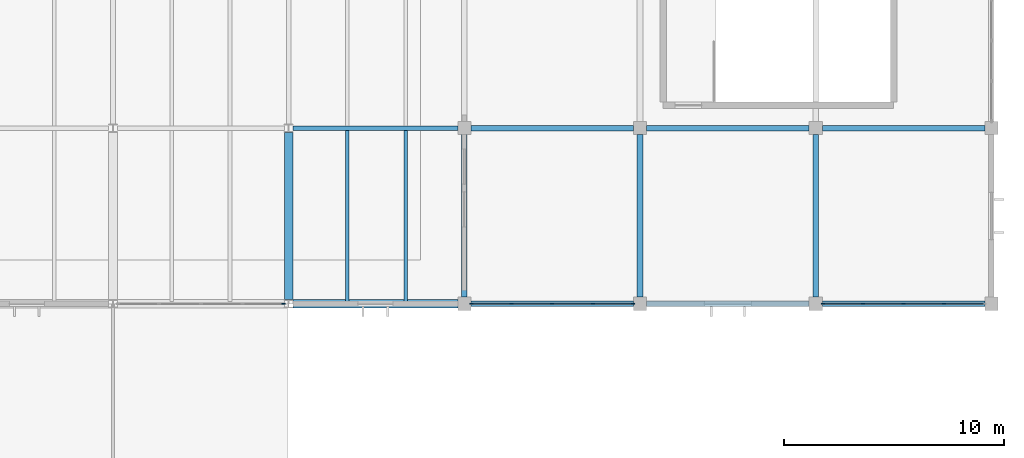
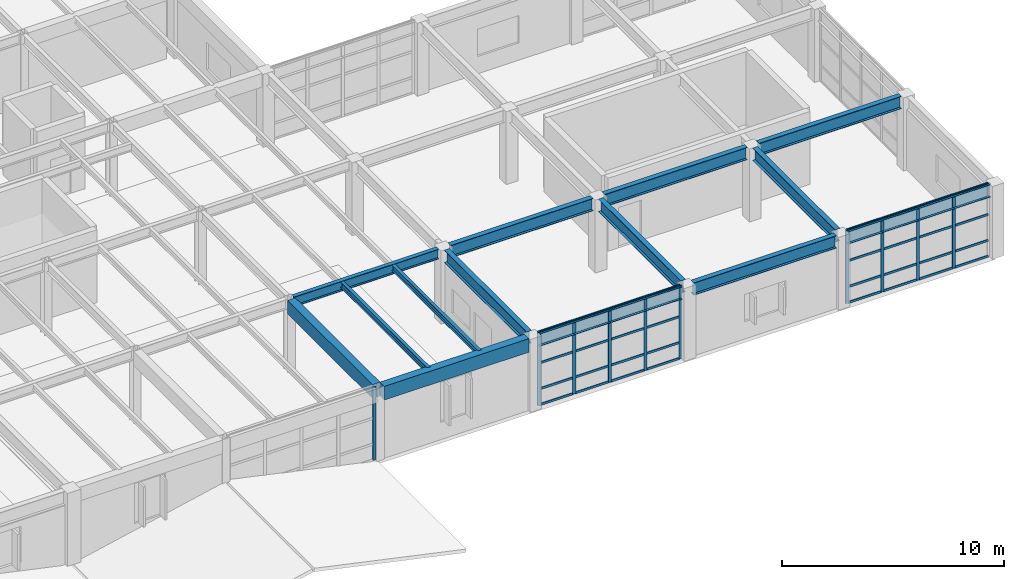
# One storey, part 25 of 48: 42 members, 14 beams, 3 elements without a shape of their own.
"""IFC4 building model written with IfcOpenShell, lengths in metres."""

import ifcopenshell
import ifcopenshell.guid

model = None  # the IFC model being written
_history = None  # IfcOwnerHistory: only IFC2X3 demands one
_inside = {}  # id of a spatial element -> (the spatial element, [elements in it])
_under = {}  # id of a project, library or spatial element -> (it, [spatial elements below it])
_declared = {}  # id of a project -> (the project, [libraries it declares])
_typed = {}  # id of a type object -> (the type object, [elements of that type])
_made_of = {}  # id of a material, layer set ... -> (it, [elements and type objects made of it])


def new_model(schema):
    """Start an empty IFC model of exactly this schema.

    Asked for "IFC4X3", IfcOpenShell would pick the latest addendum, in which some entities
    have other attributes; the version numbers below select the first issue.
    IFC2X3 requires an IfcOwnerHistory on every rooted entity: one is made here for all.
    """
    global model, _history
    if schema == "IFC4X3":
        model = ifcopenshell.file(schema_version=(4, 3, 0, 0))
    else:
        model = ifcopenshell.file(schema=schema)
    _inside.clear()
    _under.clear()
    _declared.clear()
    _typed.clear()
    _made_of.clear()
    _history = None
    if model.schema == "IFC2X3":
        org = make("IfcOrganization", Name="unknown")
        user = make(
            "IfcPersonAndOrganization",
            ThePerson=make("IfcPerson", FamilyName="unknown"),
            TheOrganization=org,
        )
        app = make(
            "IfcApplication",
            ApplicationDeveloper=org,
            Version="unknown",
            ApplicationFullName="unknown",
            ApplicationIdentifier="unknown",
        )
        _history = make(
            "IfcOwnerHistory",
            OwningUser=user,
            OwningApplication=app,
            ChangeAction="ADDED",
            CreationDate=0,
        )
    return model


def make(cls, **values):
    """One entity of the class cls with the attributes given. An attribute that is None is left unset."""
    return model.create_entity(
        cls, **{name: value for name, value in values.items() if value is not None}
    )


def rooted(cls, **values):
    """An entity with a GlobalId (a new one), such as an element, a storey or a relation."""
    return make(cls, GlobalId=ifcopenshell.guid.new(), OwnerHistory=_history, **values)


def si_unit(unit_type, name, prefix=None):
    """IfcSIUnit, for example si_unit("LENGTHUNIT", "METRE", prefix="MILLI")."""
    return make("IfcSIUnit", UnitType=unit_type, Prefix=prefix, Name=name)


def assignment(units):
    """IfcUnitAssignment: the units of a project."""
    return None if units is None else make("IfcUnitAssignment", Units=units)


def point(xyz):
    """IfcCartesianPoint."""
    return None if xyz is None else make("IfcCartesianPoint", Coordinates=xyz)


def direction(xyz):
    """IfcDirection."""
    return None if xyz is None else make("IfcDirection", DirectionRatios=xyz)


def frame(location, z_axis=None, x_axis=None):
    """IfcAxis2Placement3D, a coordinate frame: its origin and axes. An axis left out is left unset."""
    return make(
        "IfcAxis2Placement3D",
        Location=point(location),
        Axis=direction(z_axis),
        RefDirection=direction(x_axis),
    )


def frame_2d(location, x_axis=None):
    """IfcAxis2Placement2D, a coordinate frame in the plane: its origin and x axis."""
    return make(
        "IfcAxis2Placement2D", Location=point(location), RefDirection=direction(x_axis)
    )


def origin():
    """The frame at (0, 0, 0) with its axes left unset."""
    return frame((0.0, 0.0, 0.0))


def origin_2d():
    """The frame at (0, 0) in the plane with its x axis left unset."""
    return frame_2d((0.0, 0.0))


def place(relative_to, where):
    """IfcLocalPlacement: puts the frame where relative to a parent placement (None: the world)."""
    return make(
        "IfcLocalPlacement", PlacementRelTo=relative_to, RelativePlacement=where
    )


def context(
    kind, dimensions, precision=None, world=None, true_north=None, identifier=None
):
    """IfcGeometricRepresentationContext, for example the 3D "Model" context."""
    return make(
        "IfcGeometricRepresentationContext",
        ContextIdentifier=identifier,
        ContextType=kind,
        CoordinateSpaceDimension=dimensions,
        Precision=precision,
        WorldCoordinateSystem=world,
        TrueNorth=true_north,
    )


def subcontext(parent, identifier, kind, view, scale=None):
    """IfcGeometricRepresentationSubContext, for example "Body" below "Model"."""
    return make(
        "IfcGeometricRepresentationSubContext",
        ContextIdentifier=identifier,
        ContextType=kind,
        ParentContext=parent,
        TargetScale=scale,
        TargetView=view,
    )


def project(units=None, contexts=None):
    """IfcProject with its units and contexts."""
    return rooted(
        "IfcProject",
        Name="project",
        RepresentationContexts=contexts,
        UnitsInContext=assignment(units),
    )


def spatial(cls, under=None, at=None, **own):
    """A site, building, storey or space (cls), placed at a placement, below another one or the project."""
    s = rooted(cls, ObjectPlacement=at, **own)
    if under is not None:
        _under.setdefault(under.id(), (under, []))[1].append(s)
    return s


def profile(cls, at=None, kind="AREA", **sizes):
    """A parametric profile (cls). Its sizes go by their IFC names, for example OverallWidth=200.0."""
    return make(cls, ProfileType=kind, Position=at, **sizes)


def rectangle(**sizes):
    """IfcRectangleProfileDef."""
    return profile("IfcRectangleProfileDef", **sizes)


def i_section(**sizes):
    """IfcIShapeProfileDef."""
    return profile("IfcIShapeProfileDef", **sizes)


def extrude(swept, where, along, depth):
    """IfcExtrudedAreaSolid: the profile swept, set in the frame where, extruded along a direction by depth."""
    return make(
        "IfcExtrudedAreaSolid",
        SweptArea=swept,
        Position=where,
        ExtrudedDirection=direction(along),
        Depth=depth,
    )


def shape(context_of_items, identifier, shape_type, items):
    """IfcShapeRepresentation: the items that make up one representation, for example the "Body"."""
    return make(
        "IfcShapeRepresentation",
        ContextOfItems=context_of_items,
        RepresentationIdentifier=identifier,
        RepresentationType=shape_type,
        Items=items,
    )


def material(Name=None, Category=None):
    """IfcMaterial."""
    return make("IfcMaterial", Name=Name, Category=Category)


def layer(
    of_material, thickness, ventilated=None, Name=None, Category=None, Priority=None
):
    """IfcMaterialLayer: one layer of a wall or slab, of a material (None: an air gap)."""
    return make(
        "IfcMaterialLayer",
        Material=of_material,
        LayerThickness=thickness,
        IsVentilated=ventilated,
        Name=Name,
        Category=Category,
        Priority=Priority,
    )


def layer_set(layers, Name=None):
    """IfcMaterialLayerSet."""
    return make("IfcMaterialLayerSet", MaterialLayers=layers, LayerSetName=Name)


def material_profile(
    of_material, cross_section, Name=None, Category=None, Priority=None
):
    """IfcMaterialProfile: a cross section and its material."""
    return make(
        "IfcMaterialProfile",
        Name=Name,
        Material=of_material,
        Profile=cross_section,
        Priority=Priority,
        Category=Category,
    )


def profile_set(profiles, Name=None, composite=None):
    """IfcMaterialProfileSet."""
    return make(
        "IfcMaterialProfileSet",
        Name=Name,
        MaterialProfiles=profiles,
        CompositeProfile=composite,
    )


def made_of(thing, what):
    """Note that an element or type object is made of a material, layer set ...; save() writes the relation."""
    if what is not None:
        _made_of.setdefault(what.id(), (what, []))[1].append(thing)
    return thing


def type_object(cls, material=None, **own):
    """A type object (cls), such as IfcWallType, which elements share."""
    return made_of(rooted(cls, **own), material)


def element(
    cls,
    number,
    at=None,
    inside=None,
    cuts=None,
    type_object=None,
    material=None,
    context=None,
    identifier="Body",
    shape_type=None,
    held_by="IfcProductDefinitionShape",
    body=None,
    shapes=None,
    **own,
):
    """One element of the class cls, such as IfcWall. Its Tag is "e" and its number.

    at: its placement. inside: the storey or other place that contains it. cuts: it is an
    opening in that element (IfcRelVoidsElement). A single representation is given by context,
    identifier, shape_type and body (its items); several are given by shapes. held_by: the class
    of the entity that holds the representations. save() writes the other relations.
    """
    e = rooted(cls, Tag="e%d" % number, ObjectPlacement=at, **own)
    if body is not None:
        shapes = [shape(context, identifier, shape_type, body)]
    if shapes is not None:
        e.Representation = make(held_by, Representations=shapes)
    if inside is not None:
        _inside.setdefault(inside.id(), (inside, []))[1].append(e)
    if cuts is not None:
        rooted(
            "IfcRelVoidsElement", RelatingBuildingElement=cuts, RelatedOpeningElement=e
        )
    if type_object is not None:
        _typed.setdefault(type_object.id(), (type_object, []))[1].append(e)
    return made_of(e, material)


def aggregate(whole, parts):
    """IfcRelAggregates: a whole, such as a stair, and the parts it consists of."""
    return rooted("IfcRelAggregates", RelatingObject=whole, RelatedObjects=parts)


def save(model, path):
    """Write the relations noted so far, then the file.

    IfcRelAggregates (storeys below a building ...), IfcRelContainedInSpatialStructure (elements
    in a storey), IfcRelDefinesByType, IfcRelAssociatesMaterial and IfcRelDeclares: one each for
    every whole, place, type object, material and project.
    """
    for whole, parts in _under.values():
        aggregate(whole, parts)
    for where, things in _inside.values():
        rooted(
            "IfcRelContainedInSpatialStructure",
            RelatedElements=things,
            RelatingStructure=where,
        )
    for kind, things in _typed.values():
        rooted("IfcRelDefinesByType", RelatedObjects=things, RelatingType=kind)
    for what, things in _made_of.values():
        rooted("IfcRelAssociatesMaterial", RelatedObjects=things, RelatingMaterial=what)
    for by, libraries in _declared.values():
        rooted("IfcRelDeclares", RelatingContext=by, RelatedDefinitions=libraries)
    model.write(path)


model = new_model("IFC4")

# Units and contexts
model_context = context("Model", 3, precision=1e-05, world=origin(), true_north=direction((0.0, 1.0)))
body_context = subcontext(model_context, "Body", "Model", "MODEL_VIEW")
ifc_project = project(units=[si_unit("LENGTHUNIT", "METRE"), si_unit("AREAUNIT", "SQUARE_METRE"), si_unit("VOLUMEUNIT", "CUBIC_METRE"), si_unit("PLANEANGLEUNIT", "RADIAN"), si_unit("MASSUNIT", "GRAM", prefix="KILO")], contexts=[model_context])

# Site, building, storey
site_placement = place(None, origin())
site = spatial("IfcSite", under=ifc_project, at=site_placement, CompositionType="ELEMENT")
building_placement = place(site_placement, origin())
building = spatial("IfcBuilding", under=site, at=building_placement, Name="Varnela Railside Interchange", CompositionType="ELEMENT")
storey_placement = place(building_placement, frame((0.0, 0.0, 11.199951171875)))
storey = spatial("IfcBuildingStorey", under=building, at=storey_placement, Name="L02", CompositionType="ELEMENT", Elevation=11.199951171875)

# Beams
ifc_material_1 = material(Name="Steel AR 350 (350 MPa)", Category="steel")
ifc_material_profile_1 = material_profile(ifc_material_1, i_section(OverallWidth=0.2119140625, OverallDepth=0.5439453125, WebThickness=0.01318359375, FlangeThickness=0.021240234375, at=origin_2d()), Name="W530x123")
ifc_profile_set_1 = profile_set([ifc_material_profile_1], Name="Steel AR 350 (350 MPa)")
beam_type_1 = type_object("IfcBeamType", Name="Composite Heavy Girder B-16", PredefinedType="BEAM", material=ifc_profile_set_1)
beam_1_placement = place(storey_placement, frame((132.197021484375, 46.0, 3.72802734375), z_axis=(1.0, 0.0, 0.0), x_axis=(0.0, 1.0, 0.0)))
element("IfcBeam", 1, at=beam_1_placement, inside=storey, type_object=beam_type_1, Name="Composite Heavy Girder B-16 (L02) (BM-1955)", PredefinedType="BEAM", context=body_context, shape_type="SweptSolid", body=[
    extrude(i_section(OverallWidth=0.2119140625, OverallDepth=0.5439453125, WebThickness=0.01318359375, FlangeThickness=0.021240234375, at=origin_2d()), origin(), (0.0, 0.0, 1.0), 7.5029296875),
])
ifc_material_profile_2 = material_profile(ifc_material_1, i_section(OverallWidth=0.1669921875, OverallDepth=0.31689453125, WebThickness=0.007568359375, FlangeThickness=0.01318359375, at=origin_2d()), Name="W310x52")
ifc_profile_set_2 = profile_set([ifc_material_profile_2], Name="Steel AR 350 (350 MPa)")
beam_type_2 = type_object("IfcBeamType", Name="Composite Long-Span Joist J-03", PredefinedType="JOIST", material=ifc_profile_set_2)
for number, where, z_axis, x_axis, name in (
    (2, (134.669921875, 38.10595703125, 3.841552734375), (0.0, 1.0, 0.0), (-1.0, 0.0, 0.0), "Composite Long-Span Joist J-03 (L02) (BM-1866)"),
    (3, (137.330078125, 38.10595703125, 3.841552734375), (0.0, 1.0, 0.0), (-1.0, 0.0, 0.0), "Composite Long-Span Joist J-03 (L02) (BM-1867)"),
):
    element("IfcBeam", number, at=place(storey_placement, frame(where, z_axis=z_axis, x_axis=x_axis)), inside=storey, type_object=beam_type_2, Name=name, PredefinedType="JOIST", context=body_context, shape_type="SweptSolid", body=[
        extrude(i_section(OverallWidth=0.1669921875, OverallDepth=0.31689453125, WebThickness=0.007568359375, FlangeThickness=0.01318359375, at=origin_2d()), origin(), (0.0, 0.0, 1.0), 7.7880859375),
    ])

# Curtain wall, members
ifc_material_2 = material(Name="Aluminium 6063-T6", Category="aluminium")
ifc_layer = layer(ifc_material_2, 0.035888671875)
ifc_layer_set = layer_set([ifc_layer], Name="Aluminium 6063-T6")
curtain_wall_type = type_object("IfcCurtainWallType", Name="Study Pavilion Gallery Curtain Wall CW-02", PredefinedType="USERDEFINED", material=ifc_layer_set)
curtain_wall_1_placement = place(storey_placement, origin())
curtain_wall_1 = element("IfcCurtainWall", 4, at=curtain_wall_1_placement, inside=storey, type_object=curtain_wall_type, Name="Curtain Wall CW-02 (L02) (CW-064)", ObjectType="CURTAIN WALL", PredefinedType="USERDEFINED")
ifc_material_profile_3 = material_profile(ifc_material_2, rectangle(XDim=0.06005859375, YDim=0.159912109375, at=origin_2d()), Name="ALU 60x160")
ifc_profile_set_3 = profile_set([ifc_material_profile_3], Name="Aluminium 6063-T6")
member_type_1 = type_object("IfcMemberType", Name="Curtain Wall Mullion ML-02", PredefinedType="MULLION", material=ifc_profile_set_3)
member_1_placement = place(storey_placement, frame((161.85009765625, 38.0, 0.0), z_axis=(0.0, 0.0, 1.0), x_axis=(0.0, -1.0, 0.0)))
member_1 = element("IfcMember", 5, at=member_1_placement, type_object=member_type_1, Name="CW-02 mullion 2", PredefinedType="MULLION", context=body_context, shape_type="SweptSolid", body=[
    extrude(rectangle(XDim=0.06005859375, YDim=0.159912109375, at=origin_2d()), origin(), (0.0, 0.0, 1.0), 4.0),
])
member_2_placement = place(storey_placement, frame((160.0, 38.0, 0.0), z_axis=(0.0, 0.0, 1.0), x_axis=(0.0, -1.0, 0.0)))
member_2 = element("IfcMember", 6, at=member_2_placement, type_object=member_type_1, Name="CW-02 mullion 3", PredefinedType="MULLION", context=body_context, shape_type="SweptSolid", body=[
    extrude(rectangle(XDim=0.06005859375, YDim=0.159912109375, at=origin_2d()), origin(), (0.0, 0.0, 1.0), 4.0),
])
member_3_placement = place(storey_placement, frame((158.14990234375, 38.0, 0.0), z_axis=(0.0, 0.0, 1.0), x_axis=(0.0, -1.0, 0.0)))
member_3 = element("IfcMember", 7, at=member_3_placement, type_object=member_type_1, Name="CW-02 mullion 4", PredefinedType="MULLION", context=body_context, shape_type="SweptSolid", body=[
    extrude(rectangle(XDim=0.06005859375, YDim=0.159912109375, at=origin_2d()), origin(), (0.0, 0.0, 1.0), 4.0),
])
member_4_placement = place(storey_placement, frame((156.330078125, 38.0, 0.0), z_axis=(0.0, 0.0, 1.0), x_axis=(0.0, -1.0, 0.0)))
member_4 = element("IfcMember", 8, at=member_4_placement, type_object=member_type_1, Name="CW-02 mullion 5", PredefinedType="MULLION", context=body_context, shape_type="SweptSolid", body=[
    extrude(rectangle(XDim=0.06005859375, YDim=0.159912109375, at=origin_2d()), origin(), (0.0, 0.0, 1.0), 4.0),
])

curtain_wall_2_placement = place(storey_placement, origin())
curtain_wall_2 = element("IfcCurtainWall", 9, at=curtain_wall_2_placement, inside=storey, type_object=curtain_wall_type, Name="Curtain Wall CW-02 (L02) (CW-065)", ObjectType="CURTAIN WALL", PredefinedType="USERDEFINED")
member_5_placement = place(storey_placement, frame((147.669921875, 38.0, 0.0), z_axis=(0.0, 0.0, 1.0), x_axis=(0.0, -1.0, 0.0)))
member_5 = element("IfcMember", 10, at=member_5_placement, type_object=member_type_1, Name="CW-02 mullion 1", PredefinedType="MULLION", context=body_context, shape_type="SweptSolid", body=[
    extrude(rectangle(XDim=0.06005859375, YDim=0.159912109375, at=origin_2d()), origin(), (0.0, 0.0, 1.0), 4.0),
])
member_6_placement = place(storey_placement, frame((145.85009765625, 38.0, 0.0), z_axis=(0.0, 0.0, 1.0), x_axis=(0.0, -1.0, 0.0)))
member_6 = element("IfcMember", 11, at=member_6_placement, type_object=member_type_1, Name="CW-02 mullion 2", PredefinedType="MULLION", context=body_context, shape_type="SweptSolid", body=[
    extrude(rectangle(XDim=0.06005859375, YDim=0.159912109375, at=origin_2d()), origin(), (0.0, 0.0, 1.0), 4.0),
])
member_7_placement = place(storey_placement, frame((144.0, 38.0, 0.0), z_axis=(0.0, 0.0, 1.0), x_axis=(0.0, -1.0, 0.0)))
member_7 = element("IfcMember", 12, at=member_7_placement, type_object=member_type_1, Name="CW-02 mullion 3", PredefinedType="MULLION", context=body_context, shape_type="SweptSolid", body=[
    extrude(rectangle(XDim=0.06005859375, YDim=0.159912109375, at=origin_2d()), origin(), (0.0, 0.0, 1.0), 4.0),
])
member_8_placement = place(storey_placement, frame((142.14990234375, 38.0, 0.0), z_axis=(0.0, 0.0, 1.0), x_axis=(0.0, -1.0, 0.0)))
member_8 = element("IfcMember", 13, at=member_8_placement, type_object=member_type_1, Name="CW-02 mullion 4", PredefinedType="MULLION", context=body_context, shape_type="SweptSolid", body=[
    extrude(rectangle(XDim=0.06005859375, YDim=0.159912109375, at=origin_2d()), origin(), (0.0, 0.0, 1.0), 4.0),
])
member_9_placement = place(storey_placement, frame((140.330078125, 38.0, 0.0), z_axis=(0.0, 0.0, 1.0), x_axis=(0.0, -1.0, 0.0)))
member_9 = element("IfcMember", 14, at=member_9_placement, type_object=member_type_1, Name="CW-02 mullion 5", PredefinedType="MULLION", context=body_context, shape_type="SweptSolid", body=[
    extrude(rectangle(XDim=0.06005859375, YDim=0.159912109375, at=origin_2d()), origin(), (0.0, 0.0, 1.0), 4.0),
])

# Curtain wall, member
curtain_wall_3_placement = place(storey_placement, origin())
curtain_wall_3 = element("IfcCurtainWall", 15, at=curtain_wall_3_placement, inside=storey, type_object=curtain_wall_type, Name="Curtain Wall CW-02 (L02) (CW-066)", ObjectType="CURTAIN WALL", PredefinedType="USERDEFINED")
member_10_placement = place(storey_placement, frame((131.77294921875, 38.0, 0.0), z_axis=(0.0, 0.0, 1.0), x_axis=(0.0, -1.0, 0.0)))
member_10 = element("IfcMember", 16, at=member_10_placement, type_object=member_type_1, Name="CW-02 mullion 1", PredefinedType="MULLION", context=body_context, shape_type="SweptSolid", body=[
    extrude(rectangle(XDim=0.06005859375, YDim=0.159912109375, at=origin_2d()), origin(), (0.0, 0.0, 1.0), 4.0),
])
aggregate(curtain_wall_3, [member_10])

# Member
ifc_material_profile_4 = material_profile(ifc_material_2, rectangle(XDim=0.06005859375, YDim=0.1201171875, at=origin_2d()), Name="ALU 60x120")
ifc_profile_set_4 = profile_set([ifc_material_profile_4], Name="Aluminium 6063-T6")
member_type_2 = type_object("IfcMemberType", Name="Curtain Wall Transom TR-02", PredefinedType="USERDEFINED", material=ifc_profile_set_4)
member_11_placement = place(storey_placement, frame((163.639892578125, 38.0, 0.030029296875), z_axis=(-1.0, 0.0, 0.0), x_axis=(0.0, -1.0, 0.0)))
member_11 = element("IfcMember", 17, at=member_11_placement, type_object=member_type_2, Name="CW-02 transom 1.1", ObjectType="TRANSOM", PredefinedType="USERDEFINED", context=body_context, shape_type="SweptSolid", body=[
    extrude(rectangle(XDim=0.06005859375, YDim=0.1201171875, at=origin_2d()), origin(), (0.0, 0.0, 1.0), 1.760009765625),
])

member_12_placement = place(storey_placement, frame((163.639892578125, 38.0, 0.900146484375), z_axis=(-1.0, 0.0, 0.0), x_axis=(0.0, -1.0, 0.0)))
member_12 = element("IfcMember", 18, at=member_12_placement, type_object=member_type_2, Name="CW-02 transom 1.2", ObjectType="TRANSOM", PredefinedType="USERDEFINED", context=body_context, shape_type="SweptSolid", body=[
    extrude(rectangle(XDim=0.06005859375, YDim=0.1201171875, at=origin_2d()), origin(), (0.0, 0.0, 1.0), 1.760009765625),
])

member_13_placement = place(storey_placement, frame((163.639892578125, 38.0, 2.320068359375), z_axis=(-1.0, 0.0, 0.0), x_axis=(0.0, -1.0, 0.0)))
member_13 = element("IfcMember", 19, at=member_13_placement, type_object=member_type_2, Name="CW-02 transom 1.3", ObjectType="TRANSOM", PredefinedType="USERDEFINED", context=body_context, shape_type="SweptSolid", body=[
    extrude(rectangle(XDim=0.06005859375, YDim=0.1201171875, at=origin_2d()), origin(), (0.0, 0.0, 1.0), 1.760009765625),
])

member_14_placement = place(storey_placement, frame((163.639892578125, 38.0, 3.969970703125), z_axis=(-1.0, 0.0, 0.0), x_axis=(0.0, -1.0, 0.0)))
member_14 = element("IfcMember", 20, at=member_14_placement, type_object=member_type_2, Name="CW-02 transom 1.4", ObjectType="TRANSOM", PredefinedType="USERDEFINED", context=body_context, shape_type="SweptSolid", body=[
    extrude(rectangle(XDim=0.06005859375, YDim=0.1201171875, at=origin_2d()), origin(), (0.0, 0.0, 1.0), 1.760009765625),
])

member_15_placement = place(storey_placement, frame((161.820068359375, 38.0, 0.030029296875), z_axis=(-1.0, 0.0, 0.0), x_axis=(0.0, -1.0, 0.0)))
member_15 = element("IfcMember", 21, at=member_15_placement, type_object=member_type_2, Name="CW-02 transom 2.1", ObjectType="TRANSOM", PredefinedType="USERDEFINED", context=body_context, shape_type="SweptSolid", body=[
    extrude(rectangle(XDim=0.06005859375, YDim=0.1201171875, at=origin_2d()), origin(), (0.0, 0.0, 1.0), 1.7900390625),
])

member_16_placement = place(storey_placement, frame((161.820068359375, 38.0, 0.900146484375), z_axis=(-1.0, 0.0, 0.0), x_axis=(0.0, -1.0, 0.0)))
member_16 = element("IfcMember", 22, at=member_16_placement, type_object=member_type_2, Name="CW-02 transom 2.2", ObjectType="TRANSOM", PredefinedType="USERDEFINED", context=body_context, shape_type="SweptSolid", body=[
    extrude(rectangle(XDim=0.06005859375, YDim=0.1201171875, at=origin_2d()), origin(), (0.0, 0.0, 1.0), 1.7900390625),
])

member_17_placement = place(storey_placement, frame((161.820068359375, 38.0, 2.320068359375), z_axis=(-1.0, 0.0, 0.0), x_axis=(0.0, -1.0, 0.0)))
member_17 = element("IfcMember", 23, at=member_17_placement, type_object=member_type_2, Name="CW-02 transom 2.3", ObjectType="TRANSOM", PredefinedType="USERDEFINED", context=body_context, shape_type="SweptSolid", body=[
    extrude(rectangle(XDim=0.06005859375, YDim=0.1201171875, at=origin_2d()), origin(), (0.0, 0.0, 1.0), 1.7900390625),
])

member_18_placement = place(storey_placement, frame((161.820068359375, 38.0, 3.969970703125), z_axis=(-1.0, 0.0, 0.0), x_axis=(0.0, -1.0, 0.0)))
member_18 = element("IfcMember", 24, at=member_18_placement, type_object=member_type_2, Name="CW-02 transom 2.4", ObjectType="TRANSOM", PredefinedType="USERDEFINED", context=body_context, shape_type="SweptSolid", body=[
    extrude(rectangle(XDim=0.06005859375, YDim=0.1201171875, at=origin_2d()), origin(), (0.0, 0.0, 1.0), 1.7900390625),
])

member_19_placement = place(storey_placement, frame((159.969970703125, 38.0, 0.030029296875), z_axis=(-1.0, 0.0, 0.0), x_axis=(0.0, -1.0, 0.0)))
member_19 = element("IfcMember", 25, at=member_19_placement, type_object=member_type_2, Name="CW-02 transom 3.1", ObjectType="TRANSOM", PredefinedType="USERDEFINED", context=body_context, shape_type="SweptSolid", body=[
    extrude(rectangle(XDim=0.06005859375, YDim=0.1201171875, at=origin_2d()), origin(), (0.0, 0.0, 1.0), 1.7900390625),
])

member_20_placement = place(storey_placement, frame((159.969970703125, 38.0, 0.900146484375), z_axis=(-1.0, 0.0, 0.0), x_axis=(0.0, -1.0, 0.0)))
member_20 = element("IfcMember", 26, at=member_20_placement, type_object=member_type_2, Name="CW-02 transom 3.2", ObjectType="TRANSOM", PredefinedType="USERDEFINED", context=body_context, shape_type="SweptSolid", body=[
    extrude(rectangle(XDim=0.06005859375, YDim=0.1201171875, at=origin_2d()), origin(), (0.0, 0.0, 1.0), 1.7900390625),
])

member_21_placement = place(storey_placement, frame((159.969970703125, 38.0, 2.320068359375), z_axis=(-1.0, 0.0, 0.0), x_axis=(0.0, -1.0, 0.0)))
member_21 = element("IfcMember", 27, at=member_21_placement, type_object=member_type_2, Name="CW-02 transom 3.3", ObjectType="TRANSOM", PredefinedType="USERDEFINED", context=body_context, shape_type="SweptSolid", body=[
    extrude(rectangle(XDim=0.06005859375, YDim=0.1201171875, at=origin_2d()), origin(), (0.0, 0.0, 1.0), 1.7900390625),
])

member_22_placement = place(storey_placement, frame((159.969970703125, 38.0, 3.969970703125), z_axis=(-1.0, 0.0, 0.0), x_axis=(0.0, -1.0, 0.0)))
member_22 = element("IfcMember", 28, at=member_22_placement, type_object=member_type_2, Name="CW-02 transom 3.4", ObjectType="TRANSOM", PredefinedType="USERDEFINED", context=body_context, shape_type="SweptSolid", body=[
    extrude(rectangle(XDim=0.06005859375, YDim=0.1201171875, at=origin_2d()), origin(), (0.0, 0.0, 1.0), 1.7900390625),
])

member_23_placement = place(storey_placement, frame((158.1201171875, 38.0, 0.030029296875), z_axis=(-1.0, 0.0, 0.0), x_axis=(0.0, -1.0, 0.0)))
member_23 = element("IfcMember", 29, at=member_23_placement, type_object=member_type_2, Name="CW-02 transom 4.1", ObjectType="TRANSOM", PredefinedType="USERDEFINED", context=body_context, shape_type="SweptSolid", body=[
    extrude(rectangle(XDim=0.06005859375, YDim=0.1201171875, at=origin_2d()), origin(), (0.0, 0.0, 1.0), 1.760009765625),
])

member_24_placement = place(storey_placement, frame((158.1201171875, 38.0, 0.900146484375), z_axis=(-1.0, 0.0, 0.0), x_axis=(0.0, -1.0, 0.0)))
member_24 = element("IfcMember", 30, at=member_24_placement, type_object=member_type_2, Name="CW-02 transom 4.2", ObjectType="TRANSOM", PredefinedType="USERDEFINED", context=body_context, shape_type="SweptSolid", body=[
    extrude(rectangle(XDim=0.06005859375, YDim=0.1201171875, at=origin_2d()), origin(), (0.0, 0.0, 1.0), 1.760009765625),
])

member_25_placement = place(storey_placement, frame((158.1201171875, 38.0, 2.320068359375), z_axis=(-1.0, 0.0, 0.0), x_axis=(0.0, -1.0, 0.0)))
member_25 = element("IfcMember", 31, at=member_25_placement, type_object=member_type_2, Name="CW-02 transom 4.3", ObjectType="TRANSOM", PredefinedType="USERDEFINED", context=body_context, shape_type="SweptSolid", body=[
    extrude(rectangle(XDim=0.06005859375, YDim=0.1201171875, at=origin_2d()), origin(), (0.0, 0.0, 1.0), 1.760009765625),
])

member_26_placement = place(storey_placement, frame((158.1201171875, 38.0, 3.969970703125), z_axis=(-1.0, 0.0, 0.0), x_axis=(0.0, -1.0, 0.0)))
member_26 = element("IfcMember", 32, at=member_26_placement, type_object=member_type_2, Name="CW-02 transom 4.4", ObjectType="TRANSOM", PredefinedType="USERDEFINED", context=body_context, shape_type="SweptSolid", body=[
    extrude(rectangle(XDim=0.06005859375, YDim=0.1201171875, at=origin_2d()), origin(), (0.0, 0.0, 1.0), 1.760009765625),
])

aggregate(curtain_wall_1, [member_1, member_2, member_3, member_4, member_11, member_12, member_13, member_14, member_15, member_16, member_17, member_18, member_19, member_20, member_21, member_22, member_23, member_24, member_25, member_26])

member_27_placement = place(storey_placement, frame((147.639892578125, 38.0, 0.030029296875), z_axis=(-1.0, 0.0, 0.0), x_axis=(0.0, -1.0, 0.0)))
member_27 = element("IfcMember", 33, at=member_27_placement, type_object=member_type_2, Name="CW-02 transom 1.1", ObjectType="TRANSOM", PredefinedType="USERDEFINED", context=body_context, shape_type="SweptSolid", body=[
    extrude(rectangle(XDim=0.06005859375, YDim=0.1201171875, at=origin_2d()), origin(), (0.0, 0.0, 1.0), 1.760009765625),
])

member_28_placement = place(storey_placement, frame((147.639892578125, 38.0, 0.900146484375), z_axis=(-1.0, 0.0, 0.0), x_axis=(0.0, -1.0, 0.0)))
member_28 = element("IfcMember", 34, at=member_28_placement, type_object=member_type_2, Name="CW-02 transom 1.2", ObjectType="TRANSOM", PredefinedType="USERDEFINED", context=body_context, shape_type="SweptSolid", body=[
    extrude(rectangle(XDim=0.06005859375, YDim=0.1201171875, at=origin_2d()), origin(), (0.0, 0.0, 1.0), 1.760009765625),
])

member_29_placement = place(storey_placement, frame((147.639892578125, 38.0, 2.320068359375), z_axis=(-1.0, 0.0, 0.0), x_axis=(0.0, -1.0, 0.0)))
member_29 = element("IfcMember", 35, at=member_29_placement, type_object=member_type_2, Name="CW-02 transom 1.3", ObjectType="TRANSOM", PredefinedType="USERDEFINED", context=body_context, shape_type="SweptSolid", body=[
    extrude(rectangle(XDim=0.06005859375, YDim=0.1201171875, at=origin_2d()), origin(), (0.0, 0.0, 1.0), 1.760009765625),
])

member_30_placement = place(storey_placement, frame((147.639892578125, 38.0, 3.969970703125), z_axis=(-1.0, 0.0, 0.0), x_axis=(0.0, -1.0, 0.0)))
member_30 = element("IfcMember", 36, at=member_30_placement, type_object=member_type_2, Name="CW-02 transom 1.4", ObjectType="TRANSOM", PredefinedType="USERDEFINED", context=body_context, shape_type="SweptSolid", body=[
    extrude(rectangle(XDim=0.06005859375, YDim=0.1201171875, at=origin_2d()), origin(), (0.0, 0.0, 1.0), 1.760009765625),
])

member_31_placement = place(storey_placement, frame((145.820068359375, 38.0, 0.030029296875), z_axis=(-1.0, 0.0, 0.0), x_axis=(0.0, -1.0, 0.0)))
member_31 = element("IfcMember", 37, at=member_31_placement, type_object=member_type_2, Name="CW-02 transom 2.1", ObjectType="TRANSOM", PredefinedType="USERDEFINED", context=body_context, shape_type="SweptSolid", body=[
    extrude(rectangle(XDim=0.06005859375, YDim=0.1201171875, at=origin_2d()), origin(), (0.0, 0.0, 1.0), 1.7900390625),
])

member_32_placement = place(storey_placement, frame((145.820068359375, 38.0, 0.900146484375), z_axis=(-1.0, 0.0, 0.0), x_axis=(0.0, -1.0, 0.0)))
member_32 = element("IfcMember", 38, at=member_32_placement, type_object=member_type_2, Name="CW-02 transom 2.2", ObjectType="TRANSOM", PredefinedType="USERDEFINED", context=body_context, shape_type="SweptSolid", body=[
    extrude(rectangle(XDim=0.06005859375, YDim=0.1201171875, at=origin_2d()), origin(), (0.0, 0.0, 1.0), 1.7900390625),
])

member_33_placement = place(storey_placement, frame((145.820068359375, 38.0, 2.320068359375), z_axis=(-1.0, 0.0, 0.0), x_axis=(0.0, -1.0, 0.0)))
member_33 = element("IfcMember", 39, at=member_33_placement, type_object=member_type_2, Name="CW-02 transom 2.3", ObjectType="TRANSOM", PredefinedType="USERDEFINED", context=body_context, shape_type="SweptSolid", body=[
    extrude(rectangle(XDim=0.06005859375, YDim=0.1201171875, at=origin_2d()), origin(), (0.0, 0.0, 1.0), 1.7900390625),
])

member_34_placement = place(storey_placement, frame((145.820068359375, 38.0, 3.969970703125), z_axis=(-1.0, 0.0, 0.0), x_axis=(0.0, -1.0, 0.0)))
member_34 = element("IfcMember", 40, at=member_34_placement, type_object=member_type_2, Name="CW-02 transom 2.4", ObjectType="TRANSOM", PredefinedType="USERDEFINED", context=body_context, shape_type="SweptSolid", body=[
    extrude(rectangle(XDim=0.06005859375, YDim=0.1201171875, at=origin_2d()), origin(), (0.0, 0.0, 1.0), 1.7900390625),
])

member_35_placement = place(storey_placement, frame((143.969970703125, 38.0, 0.030029296875), z_axis=(-1.0, 0.0, 0.0), x_axis=(0.0, -1.0, 0.0)))
member_35 = element("IfcMember", 41, at=member_35_placement, type_object=member_type_2, Name="CW-02 transom 3.1", ObjectType="TRANSOM", PredefinedType="USERDEFINED", context=body_context, shape_type="SweptSolid", body=[
    extrude(rectangle(XDim=0.06005859375, YDim=0.1201171875, at=origin_2d()), origin(), (0.0, 0.0, 1.0), 1.7900390625),
])

member_36_placement = place(storey_placement, frame((143.969970703125, 38.0, 0.900146484375), z_axis=(-1.0, 0.0, 0.0), x_axis=(0.0, -1.0, 0.0)))
member_36 = element("IfcMember", 42, at=member_36_placement, type_object=member_type_2, Name="CW-02 transom 3.2", ObjectType="TRANSOM", PredefinedType="USERDEFINED", context=body_context, shape_type="SweptSolid", body=[
    extrude(rectangle(XDim=0.06005859375, YDim=0.1201171875, at=origin_2d()), origin(), (0.0, 0.0, 1.0), 1.7900390625),
])

member_37_placement = place(storey_placement, frame((143.969970703125, 38.0, 2.320068359375), z_axis=(-1.0, 0.0, 0.0), x_axis=(0.0, -1.0, 0.0)))
member_37 = element("IfcMember", 43, at=member_37_placement, type_object=member_type_2, Name="CW-02 transom 3.3", ObjectType="TRANSOM", PredefinedType="USERDEFINED", context=body_context, shape_type="SweptSolid", body=[
    extrude(rectangle(XDim=0.06005859375, YDim=0.1201171875, at=origin_2d()), origin(), (0.0, 0.0, 1.0), 1.7900390625),
])

member_38_placement = place(storey_placement, frame((143.969970703125, 38.0, 3.969970703125), z_axis=(-1.0, 0.0, 0.0), x_axis=(0.0, -1.0, 0.0)))
member_38 = element("IfcMember", 44, at=member_38_placement, type_object=member_type_2, Name="CW-02 transom 3.4", ObjectType="TRANSOM", PredefinedType="USERDEFINED", context=body_context, shape_type="SweptSolid", body=[
    extrude(rectangle(XDim=0.06005859375, YDim=0.1201171875, at=origin_2d()), origin(), (0.0, 0.0, 1.0), 1.7900390625),
])

member_39_placement = place(storey_placement, frame((142.1201171875, 38.0, 0.030029296875), z_axis=(-1.0, 0.0, 0.0), x_axis=(0.0, -1.0, 0.0)))
member_39 = element("IfcMember", 45, at=member_39_placement, type_object=member_type_2, Name="CW-02 transom 4.1", ObjectType="TRANSOM", PredefinedType="USERDEFINED", context=body_context, shape_type="SweptSolid", body=[
    extrude(rectangle(XDim=0.06005859375, YDim=0.1201171875, at=origin_2d()), origin(), (0.0, 0.0, 1.0), 1.760009765625),
])

member_40_placement = place(storey_placement, frame((142.1201171875, 38.0, 0.900146484375), z_axis=(-1.0, 0.0, 0.0), x_axis=(0.0, -1.0, 0.0)))
member_40 = element("IfcMember", 46, at=member_40_placement, type_object=member_type_2, Name="CW-02 transom 4.2", ObjectType="TRANSOM", PredefinedType="USERDEFINED", context=body_context, shape_type="SweptSolid", body=[
    extrude(rectangle(XDim=0.06005859375, YDim=0.1201171875, at=origin_2d()), origin(), (0.0, 0.0, 1.0), 1.760009765625),
])

member_41_placement = place(storey_placement, frame((142.1201171875, 38.0, 2.320068359375), z_axis=(-1.0, 0.0, 0.0), x_axis=(0.0, -1.0, 0.0)))
member_41 = element("IfcMember", 47, at=member_41_placement, type_object=member_type_2, Name="CW-02 transom 4.3", ObjectType="TRANSOM", PredefinedType="USERDEFINED", context=body_context, shape_type="SweptSolid", body=[
    extrude(rectangle(XDim=0.06005859375, YDim=0.1201171875, at=origin_2d()), origin(), (0.0, 0.0, 1.0), 1.760009765625),
])

member_42_placement = place(storey_placement, frame((142.1201171875, 38.0, 3.969970703125), z_axis=(-1.0, 0.0, 0.0), x_axis=(0.0, -1.0, 0.0)))
member_42 = element("IfcMember", 48, at=member_42_placement, type_object=member_type_2, Name="CW-02 transom 4.4", ObjectType="TRANSOM", PredefinedType="USERDEFINED", context=body_context, shape_type="SweptSolid", body=[
    extrude(rectangle(XDim=0.06005859375, YDim=0.1201171875, at=origin_2d()), origin(), (0.0, 0.0, 1.0), 1.760009765625),
])

aggregate(curtain_wall_2, [member_5, member_6, member_7, member_8, member_9, member_27, member_28, member_29, member_30, member_31, member_32, member_33, member_34, member_35, member_36, member_37, member_38, member_39, member_40, member_41, member_42])

# Beams
ifc_material_3 = material(Name="Concrete C40 precast", Category="concrete")
ifc_material_profile_5 = material_profile(ifc_material_3, rectangle(XDim=0.39990234375, YDim=0.75, at=origin_2d()), Name="PC 400x750")
ifc_profile_set_5 = profile_set([ifc_material_profile_5], Name="Concrete C40 precast")
beam_type_3 = type_object("IfcBeamType", Name="Precast Facade Spandrel SP-03", PredefinedType="SPANDREL", material=ifc_profile_set_5)
beam_2_placement = place(storey_placement, frame((132.197021484375, 38.0, 3.625), z_axis=(1.0, 0.0, 0.0), x_axis=(0.0, 1.0, 0.0)))
element("IfcBeam", 49, at=beam_2_placement, inside=storey, type_object=beam_type_3, Name="Precast Facade Spandrel SP-03 (L02) (BM-1937)", PredefinedType="SPANDREL", context=body_context, shape_type="SweptSolid", body=[
    extrude(rectangle(XDim=0.39990234375, YDim=0.75, at=origin_2d()), origin(), (0.0, 0.0, 1.0), 7.5029296875),
])
beam_3_placement = place(storey_placement, frame((132.0, 38.1875, 3.625), z_axis=(0.0, 1.0, 0.0), x_axis=(-1.0, 0.0, 0.0)))
element("IfcBeam", 50, at=beam_3_placement, inside=storey, type_object=beam_type_3, Name="Precast Facade Spandrel SP-03 (L02) (BM-2034)", PredefinedType="SPANDREL", context=body_context, shape_type="SweptSolid", body=[
    extrude(rectangle(XDim=0.39990234375, YDim=0.75, at=origin_2d()), origin(), (0.0, 0.0, 1.0), 7.625),
])
ifc_material_profile_6 = material_profile(ifc_material_1, i_section(OverallWidth=0.25390625, OverallDepth=0.68798828125, WebThickness=0.01318359375, FlangeThickness=0.02099609375, at=origin_2d()), Name="W690x152")
ifc_profile_set_6 = profile_set([ifc_material_profile_6], Name="Steel AR 350 (350 MPa)")
beam_type_4 = type_object("IfcBeamType", Name="Sawtooth Roof Truss Girder RT-01", PredefinedType="BEAM", material=ifc_profile_set_6)
for number, where, z_axis, x_axis, name in (
    (51, (140.300048828125, 38.0, 3.656005859375), (1.0, 0.0, 0.0), (0.0, 1.0, 0.0), "Sawtooth Roof Truss Girder RT-01 (L02) (BM-1938)"),
    (52, (148.300048828125, 38.0, 3.656005859375), (1.0, 0.0, 0.0), (0.0, 1.0, 0.0), "Sawtooth Roof Truss Girder RT-01 (L02) (BM-1939)"),
    (53, (156.300048828125, 38.0, 3.656005859375), (1.0, 0.0, 0.0), (0.0, 1.0, 0.0), "Sawtooth Roof Truss Girder RT-01 (L02) (BM-1940)"),
    (54, (140.300048828125, 46.0, 3.656005859375), (1.0, 0.0, 0.0), (0.0, 1.0, 0.0), "Sawtooth Roof Truss Girder RT-01 (L02) (BM-1956)"),
    (55, (148.300048828125, 46.0, 3.656005859375), (1.0, 0.0, 0.0), (0.0, 1.0, 0.0), "Sawtooth Roof Truss Girder RT-01 (L02) (BM-1957)"),
    (56, (156.300048828125, 46.0, 3.656005859375), (1.0, 0.0, 0.0), (0.0, 1.0, 0.0), "Sawtooth Roof Truss Girder RT-01 (L02) (BM-1958)"),
    (57, (140.0, 38.300048828125, 3.656005859375), (0.0, 1.0, 0.0), (-1.0, 0.0, 0.0), "Sawtooth Roof Truss Girder RT-01 (L02) (BM-2040)"),
    (58, (148.0, 38.300048828125, 3.656005859375), (0.0, 1.0, 0.0), (-1.0, 0.0, 0.0), "Sawtooth Roof Truss Girder RT-01 (L02) (BM-2047)"),
    (59, (156.0, 38.300048828125, 3.656005859375), (0.0, 1.0, 0.0), (-1.0, 0.0, 0.0), "Sawtooth Roof Truss Girder RT-01 (L02) (BM-2057)"),
):
    element("IfcBeam", number, at=place(storey_placement, frame(where, z_axis=z_axis, x_axis=x_axis)), inside=storey, type_object=beam_type_4, Name=name, PredefinedType="BEAM", context=body_context, shape_type="SweptSolid", body=[
        extrude(i_section(OverallWidth=0.25390625, OverallDepth=0.68798828125, WebThickness=0.01318359375, FlangeThickness=0.02099609375, at=origin_2d()), origin(), (0.0, 0.0, 1.0), 7.39990234375),
    ])

save(model, "model.ifc")
